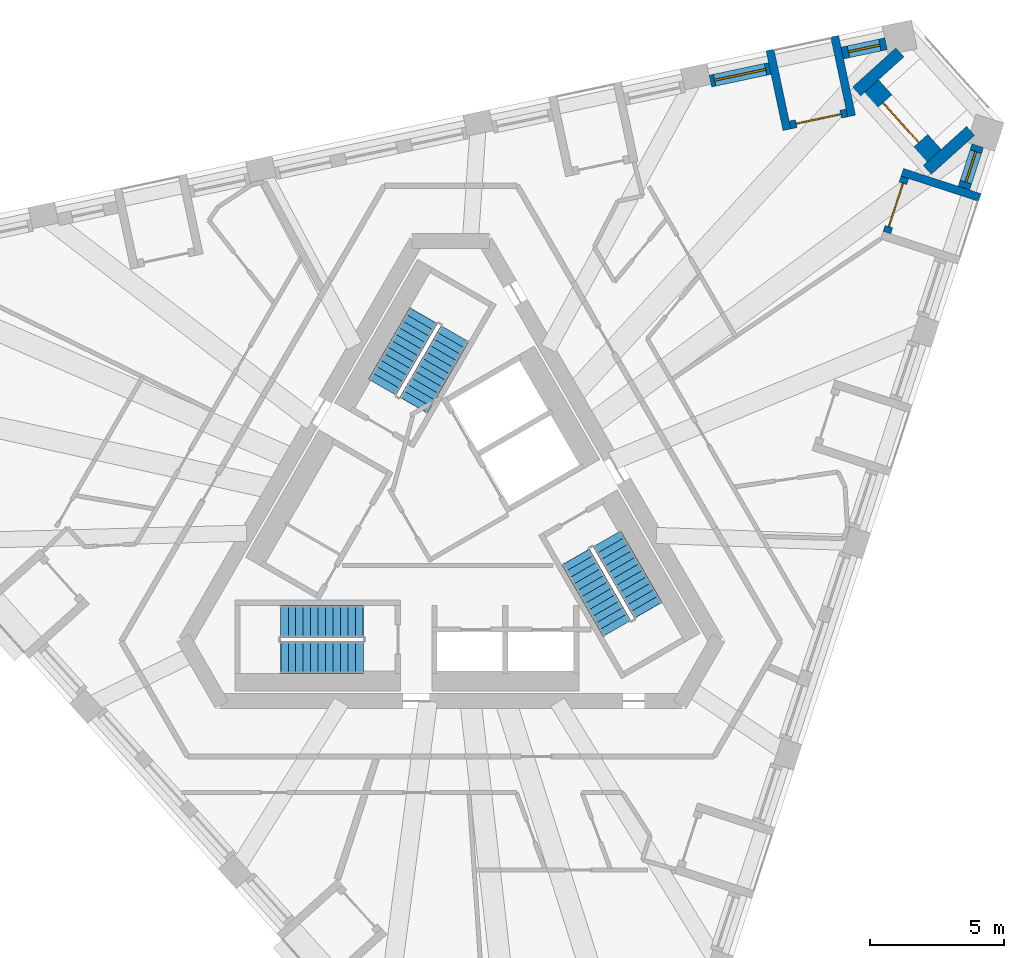
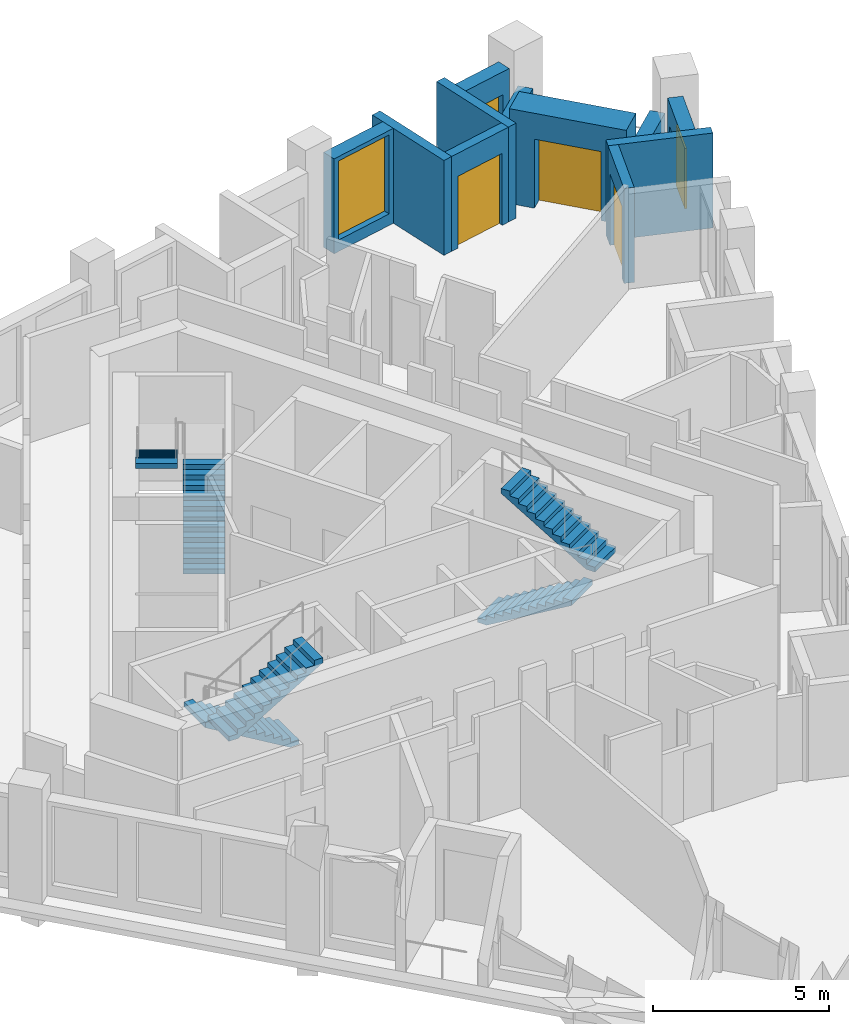
# One storey, part 8 of 12: 11 walls, 6 stair flights, 3 doors, 3 windows, 6 openings, 3 elements without a shape of their own.
"""IFC4 building model written with IfcOpenShell, lengths in metres."""

from ifc_helpers import new_model, si_unit, direction, frame, frame_2d, origin, place, context, subcontext, project, spatial, polyline, rectangle, outline, extrude, material, layer, layer_set, type_object, element, fill, aggregate, save


model = new_model("IFC4")

# Units and contexts
model_context = context("Model", 3, precision=1e-05, world=origin(), true_north=direction((0.0, 1.0)))
body_context = subcontext(model_context, "Body", "Model", "MODEL_VIEW")
ifc_project = project(units=[si_unit("LENGTHUNIT", "METRE"), si_unit("AREAUNIT", "SQUARE_METRE"), si_unit("VOLUMEUNIT", "CUBIC_METRE"), si_unit("PLANEANGLEUNIT", "RADIAN"), si_unit("MASSUNIT", "GRAM", prefix="KILO")], contexts=[model_context])

# Site, building, storey
site_placement = place(None, origin())
site = spatial("IfcSite", under=ifc_project, at=site_placement, CompositionType="ELEMENT")
building_placement = place(site_placement, origin())
building = spatial("IfcBuilding", under=site, at=building_placement, Name="Tramontana Tower", CompositionType="ELEMENT")
storey_placement = place(building_placement, frame((0.0, 0.0, 340.39990234375)))
storey = spatial("IfcBuildingStorey", under=building, at=storey_placement, Name="L78", CompositionType="ELEMENT", Elevation=340.39990234375)

# Wall, opening, window
ifc_material_1 = material(Name="Precast concrete 60 MPa", Category="concrete")
ifc_layer_1 = layer(ifc_material_1, 0.449951171875)
ifc_layer_set_1 = layer_set([ifc_layer_1], Name="Precast concrete 60 MPa, 450 mm")
wall_type_1 = type_object("IfcWallType", Name="EW1 Stone-faced precast wall 450", PredefinedType="SOLIDWALL", material=ifc_layer_set_1)
wall_1_placement = place(storey_placement, frame((19.1904296875, 12.705078125, 0.0), z_axis=(0.0, 0.0, 1.0), x_axis=(0.30898696848, 0.951066271776, 0.0)))
wall_1 = element("IfcWall", 1, at=wall_1_placement, inside=storey, type_object=wall_type_1, Name="External wall L78 face 1 bay 5", PredefinedType="SOLIDWALL", context=body_context, shape_type="SweptSolid", body=[
    extrude(rectangle(XDim=1.671142578125, YDim=0.449951171875, at=frame_2d((0.83544921875, 0.0))), origin(), (0.0, 0.0, 1.0), 3.300048828125),
])
opening_1_placement = place(wall_1_placement, frame((0.235595703125, 0.0, 0.39990234375)))
opening_1 = element("IfcOpeningElement", 2, at=opening_1_placement, cuts=wall_1, Name="Opening N3L", PredefinedType="OPENING", context=body_context, shape_type="SweptSolid", body=[
    extrude(rectangle(XDim=1.199951171875, YDim=2.10009765625, at=frame_2d((0.60009765625, 1.050048828125))), frame((0.0, 0.23486328125, 0.0), z_axis=(0.0, -1.0, 0.0), x_axis=(1.0, 0.0, 0.0)), (0.0, 0.0, 1.0), 0.469970703125),
])
ifc_material_2 = material(Name="Aluminum frame, double glazing unit", Category="aluminium")
window_type_1 = type_object("IfcWindowType", Name="N3L Window 1.2 x 2.1", PartitioningType="SINGLE_PANEL", PredefinedType="WINDOW", material=ifc_material_2)
window_1_placement = place(opening_1_placement, origin())
window_1 = element("IfcWindow", 3, at=window_1_placement, inside=storey, type_object=window_type_1, Name="Window N3L L78 face 1 module 15", OverallHeight=2.10009765625, OverallWidth=1.199951171875, PartitioningType="SINGLE_PANEL", PredefinedType="WINDOW", context=body_context, shape_type="SweptSolid", body=[
    extrude(rectangle(XDim=1.199951171875, YDim=2.10009765625, at=frame_2d((0.60009765625, 1.050048828125))), frame((0.0, 0.030029296875, 0.0), z_axis=(0.0, -1.0, 0.0), x_axis=(1.0, 0.0, 0.0)), (0.0, 0.0, 1.0), 0.06005859375),
])
fill(opening_1, window_1)

wall_2_placement = place(storey_placement, frame((16.276123046875, 18.104736328125, 0.0), z_axis=(0.0, 0.0, 1.0), x_axis=(-0.978126168783, -0.208012494676, 0.0)))
wall_2 = element("IfcWall", 4, at=wall_2_placement, inside=storey, type_object=wall_type_1, Name="External wall L78 face 2 bay 1", PredefinedType="SOLIDWALL", context=body_context, shape_type="SweptSolid", body=[
    extrude(rectangle(XDim=1.67138671875, YDim=0.449951171875, at=frame_2d((0.835693359375, 0.0))), origin(), (0.0, 0.0, 1.0), 3.300048828125),
])
opening_2_placement = place(wall_2_placement, frame((0.235595703125, 0.0, 0.39990234375)))
opening_2 = element("IfcOpeningElement", 5, at=opening_2_placement, cuts=wall_2, Name="Opening N3L", PredefinedType="OPENING", context=body_context, shape_type="SweptSolid", body=[
    extrude(rectangle(XDim=1.199951171875, YDim=2.10009765625, at=frame_2d((0.60009765625, 1.050048828125))), frame((0.0, 0.23486328125, 0.0), z_axis=(0.0, -1.0, 0.0), x_axis=(1.0, 0.0, 0.0)), (0.0, 0.0, 1.0), 0.469970703125),
])
window_2_placement = place(opening_2_placement, origin())
window_2 = element("IfcWindow", 6, at=window_2_placement, inside=storey, type_object=window_type_1, Name="Window N3L L78 face 2 module 1", OverallHeight=2.10009765625, OverallWidth=1.199951171875, PartitioningType="SINGLE_PANEL", PredefinedType="WINDOW", context=body_context, shape_type="SweptSolid", body=[
    extrude(rectangle(XDim=1.199951171875, YDim=2.10009765625, at=frame_2d((0.60009765625, 1.050048828125))), frame((0.0, 0.030029296875, 0.0), z_axis=(0.0, -1.0, 0.0), x_axis=(1.0, 0.0, 0.0)), (0.0, 0.0, 1.0), 0.06005859375),
])
fill(opening_2, window_2)

wall_3_placement = place(storey_placement, frame((11.9306640625, 17.180908203125, 0.0), z_axis=(0.0, 0.0, 1.0), x_axis=(-0.978153386925, -0.207884467067, 0.0)))
wall_3 = element("IfcWall", 7, at=wall_3_placement, inside=storey, type_object=wall_type_1, Name="External wall L78 face 2 bay 1", PredefinedType="SOLIDWALL", context=body_context, shape_type="SweptSolid", body=[
    extrude(rectangle(XDim=2.271240234375, YDim=0.449951171875, at=frame_2d((1.1357421875, 0.0))), origin(), (0.0, 0.0, 1.0), 3.300048828125),
])
opening_3_placement = place(wall_3_placement, frame((0.16064453125, 0.0, 0.39990234375)))
opening_3 = element("IfcOpeningElement", 8, at=opening_3_placement, cuts=wall_3, Name="Opening M3", PredefinedType="OPENING", context=body_context, shape_type="SweptSolid", body=[
    extrude(rectangle(XDim=1.949951171875, YDim=2.75, at=frame_2d((0.97509765625, 1.375))), frame((0.0, 0.23486328125, 0.0), z_axis=(0.0, -1.0, 0.0), x_axis=(1.0, 0.0, 0.0)), (0.0, 0.0, 1.0), 0.469970703125),
])
ifc_material_3 = material(Name="Aluminum frame, double glazing unit", Category="aluminium")
window_type_2 = type_object("IfcWindowType", Name="M3 Window 1.95 x 2.75", PartitioningType="SINGLE_PANEL", PredefinedType="WINDOW", material=ifc_material_3)
window_3_placement = place(opening_3_placement, origin())
window_3 = element("IfcWindow", 9, at=window_3_placement, inside=storey, type_object=window_type_2, Name="Window M3 L78 face 2 module 3", OverallHeight=2.75, OverallWidth=1.949951171875, PartitioningType="SINGLE_PANEL", PredefinedType="WINDOW", context=body_context, shape_type="SweptSolid", body=[
    extrude(rectangle(XDim=1.949951171875, YDim=2.75, at=frame_2d((0.97509765625, 1.375))), frame((0.0, 0.030029296875, 0.0), z_axis=(0.0, -1.0, 0.0), x_axis=(1.0, 0.0, 0.0)), (0.0, 0.0, 1.0), 0.06005859375),
])
fill(opening_3, window_3)

# Walls
wall_4_placement = place(storey_placement, frame((16.795654296875, 17.780517578125, 0.0), z_axis=(0.0, 0.0, 1.0), x_axis=(-0.743165997662, -0.669107091518, 0.0)))
element("IfcWall", 10, at=wall_4_placement, inside=storey, type_object=wall_type_1, Name="Corner loggia side wall L78 K82l", PredefinedType="SOLIDWALL", context=body_context, shape_type="SweptSolid", body=[
    extrude(rectangle(XDim=2.178955078125, YDim=0.449951171875, at=frame_2d((1.08935546875, 0.0))), origin(), (0.0, 0.0, 1.0), 2.550048828125),
])
wall_5_placement = place(storey_placement, frame((19.438720703125, 14.84521484375, 0.0), z_axis=(0.0, 0.0, 1.0), x_axis=(-0.743110286166, -0.669168964159, 0.0)))
element("IfcWall", 11, at=wall_5_placement, inside=storey, type_object=wall_type_1, Name="Corner loggia side wall L78 K82r", PredefinedType="SOLIDWALL", context=body_context, shape_type="SweptSolid", body=[
    extrude(rectangle(XDim=2.17919921875, YDim=0.449951171875, at=frame_2d((1.089599609375, 0.0))), origin(), (0.0, 0.0, 1.0), 2.550048828125),
])

# Wall, opening, door
ifc_material_4 = material(Name="Precast concrete 60 MPa", Category="concrete")
ifc_layer_2 = layer(ifc_material_4, 0.89990234375)
ifc_layer_set_2 = layer_set([ifc_layer_2], Name="EW2 Stone-faced corner loggia wall 900")
wall_type_2 = type_object("IfcWallType", Name="EW2 Stone-faced corner loggia wall 900", PredefinedType="SOLIDWALL", material=ifc_layer_set_2)
wall_6_placement = place(storey_placement, frame((15.6611328125, 16.456298828125, 0.0), z_axis=(0.0, 0.0, 1.0), x_axis=(0.669134277936, -0.743141519559, 0.0)))
wall_6 = element("IfcWall", 12, at=wall_6_placement, inside=storey, type_object=wall_type_2, Name="Corner loggia wall L78 K82", PredefinedType="SOLIDWALL", context=body_context, shape_type="SweptSolid", body=[
    extrude(rectangle(XDim=3.5, YDim=0.89990234375, at=frame_2d((1.75, 0.0))), origin(), (0.0, 0.0, 1.0), 3.300048828125),
])
opening_4_placement = place(wall_6_placement, frame((0.75, 0.0, 0.0)))
opening_4 = element("IfcOpeningElement", 13, at=opening_4_placement, cuts=wall_6, Name="Opening BD-82C", PredefinedType="OPENING", context=body_context, shape_type="SweptSolid", body=[
    extrude(rectangle(XDim=2.0, YDim=2.39990234375, at=frame_2d((1.0, 1.199951171875))), frame((0.0, 0.4599609375, 0.0), z_axis=(0.0, -1.0, 0.0), x_axis=(1.0, 0.0, 0.0)), (0.0, 0.0, 1.0), 0.919921875),
])
ifc_material_5 = material(Name="Aluminum frame, double glazing unit", Category="aluminium")
door_type_1 = type_object("IfcDoorType", Name="BC1 Sliding door 2 x 2.4", OperationType="SLIDING_TO_LEFT", PredefinedType="DOOR", material=ifc_material_5)
door_1_placement = place(opening_4_placement, origin())
door_1 = element("IfcDoor", 14, at=door_1_placement, inside=storey, type_object=door_type_1, Name="Corner loggia door L78 K82", OperationType="SLIDING_TO_LEFT", OverallHeight=2.39990234375, OverallWidth=2.0, PredefinedType="DOOR", context=body_context, shape_type="SweptSolid", body=[
    extrude(rectangle(XDim=2.0, YDim=2.39990234375, at=frame_2d((1.0, 1.199951171875))), frame((0.0, 0.02490234375, 0.0), z_axis=(0.0, -1.0, 0.0), x_axis=(1.0, 0.0, 0.0)), (0.0, 0.0, 1.0), 0.050048828125),
])
fill(opening_4, door_1)

ifc_material_6 = material(Name="Precast concrete 60 MPa", Category="concrete")
ifc_layer_3 = layer(ifc_material_6, 0.300048828125)
ifc_layer_set_3 = layer_set([ifc_layer_3], Name="LW1 Stone-faced loggia wall 300")
wall_type_3 = type_object("IfcWallType", Name="LW1 Stone-faced loggia wall 300", PredefinedType="SOLIDWALL", material=ifc_layer_set_3)
wall_7_placement = place(storey_placement, frame((16.310546875, 11.042236328125, 0.0), z_axis=(0.0, 0.0, 1.0), x_axis=(0.308999623589, 0.95106216023, 0.0)))
wall_7 = element("IfcWall", 15, at=wall_7_placement, inside=storey, type_object=wall_type_3, Name="Loggia wall L78 G8S1.13", PredefinedType="SOLIDWALL", context=body_context, shape_type="SweptSolid", body=[
    extrude(rectangle(XDim=2.171142578125, YDim=0.300048828125, at=frame_2d((1.08544921875, 0.0))), origin(), (0.0, 0.0, 1.0), 3.300048828125),
])
opening_5_placement = place(wall_7_placement, frame((0.235595703125, 0.0, 0.0)))
opening_5 = element("IfcOpeningElement", 16, at=opening_5_placement, cuts=wall_7, Name="Opening BD-8S1-13", PredefinedType="OPENING", context=body_context, shape_type="SweptSolid", body=[
    extrude(rectangle(XDim=1.699951171875, YDim=2.5, at=frame_2d((0.85009765625, 1.25))), frame((0.0, 0.159912109375, 0.0), z_axis=(0.0, -1.0, 0.0), x_axis=(1.0, 0.0, 0.0)), (0.0, 0.0, 1.0), 0.320068359375),
])
ifc_material_7 = material(Name="Aluminum frame, double glazing unit", Category="aluminium")
door_type_2 = type_object("IfcDoorType", Name="BD3 Sliding door 1.7 x 2.5", OperationType="SLIDING_TO_LEFT", PredefinedType="DOOR", material=ifc_material_7)
door_2_placement = place(opening_5_placement, origin())
door_2 = element("IfcDoor", 17, at=door_2_placement, inside=storey, type_object=door_type_2, Name="Loggia door L78 G8S1.13", OperationType="SLIDING_TO_LEFT", OverallHeight=2.5, OverallWidth=1.699951171875, PredefinedType="DOOR", context=body_context, shape_type="SweptSolid", body=[
    extrude(rectangle(XDim=1.699951171875, YDim=2.5, at=frame_2d((0.85009765625, 1.25))), frame((0.0, 0.02490234375, 0.0), z_axis=(0.0, -1.0, 0.0), x_axis=(1.0, 0.0, 0.0)), (0.0, 0.0, 1.0), 0.050048828125),
])
fill(opening_5, door_2)

# Wall
wall_8_placement = place(storey_placement, frame((19.785888671875, 12.353759765625, 0.0), z_axis=(0.0, 0.0, 1.0), x_axis=(-0.951041715693, 0.309062542235, 0.0)))
element("IfcWall", 18, at=wall_8_placement, inside=storey, type_object=wall_type_3, Name="Loggia return L78 G8S1.13b", PredefinedType="SOLIDWALL", context=body_context, shape_type="SweptSolid", body=[
    extrude(rectangle(XDim=3.050048828125, YDim=0.300048828125, at=frame_2d((1.52490234375, 0.0))), origin(), (0.0, 0.0, 1.0), 3.300048828125),
])

# Wall, opening, door
wall_9_placement = place(storey_placement, frame((14.810546875, 15.518310546875, 0.0), z_axis=(0.0, 0.0, 1.0), x_axis=(-0.978148276005, -0.207908513891, 0.0)))
wall_9 = element("IfcWall", 19, at=wall_9_placement, inside=storey, type_object=wall_type_3, Name="Loggia wall L78 G8S2.1", PredefinedType="SOLIDWALL", context=body_context, shape_type="SweptSolid", body=[
    extrude(rectangle(XDim=2.171142578125, YDim=0.300048828125, at=frame_2d((1.08544921875, 0.0))), origin(), (0.0, 0.0, 1.0), 3.300048828125),
])
opening_6_placement = place(wall_9_placement, frame((0.235595703125, 0.0, 0.0)))
opening_6 = element("IfcOpeningElement", 20, at=opening_6_placement, cuts=wall_9, Name="Opening BD-8S2-01", PredefinedType="OPENING", context=body_context, shape_type="SweptSolid", body=[
    extrude(rectangle(XDim=1.699951171875, YDim=2.5, at=frame_2d((0.85009765625, 1.25))), frame((0.0, 0.159912109375, 0.0), z_axis=(0.0, -1.0, 0.0), x_axis=(1.0, 0.0, 0.0)), (0.0, 0.0, 1.0), 0.320068359375),
])
door_3_placement = place(opening_6_placement, origin())
door_3 = element("IfcDoor", 21, at=door_3_placement, inside=storey, type_object=door_type_2, Name="Loggia door L78 G8S2.1", OperationType="SLIDING_TO_LEFT", OverallHeight=2.5, OverallWidth=1.699951171875, PredefinedType="DOOR", context=body_context, shape_type="SweptSolid", body=[
    extrude(rectangle(XDim=1.699951171875, YDim=2.5, at=frame_2d((0.85009765625, 1.25))), frame((0.0, 0.02490234375, 0.0), z_axis=(0.0, -1.0, 0.0), x_axis=(1.0, 0.0, 0.0)), (0.0, 0.0, 1.0), 0.050048828125),
])
fill(opening_6, door_3)

# Walls
wall_10_placement = place(storey_placement, frame((14.354248046875, 18.38623046875, 0.0), z_axis=(0.0, 0.0, 1.0), x_axis=(0.207954487003, -0.978138503145, 0.0)))
element("IfcWall", 22, at=wall_10_placement, inside=storey, type_object=wall_type_3, Name="Loggia return L78 G8S2.1a", PredefinedType="SOLIDWALL", context=body_context, shape_type="SweptSolid", body=[
    extrude(rectangle(XDim=3.050048828125, YDim=0.300048828125, at=frame_2d((1.52490234375, 0.0))), origin(), (0.0, 0.0, 1.0), 3.300048828125),
])
wall_11_placement = place(storey_placement, frame((11.93701171875, 17.872314453125, 0.0), z_axis=(0.0, 0.0, 1.0), x_axis=(0.207894179953, -0.978151322619, 0.0)))
element("IfcWall", 23, at=wall_11_placement, inside=storey, type_object=wall_type_3, Name="Loggia return L78 G8S2.1b", PredefinedType="SOLIDWALL", context=body_context, shape_type="SweptSolid", body=[
    extrude(rectangle(XDim=3.0498046875, YDim=0.300048828125, at=frame_2d((1.52490234375, 0.0))), origin(), (0.0, 0.0, 1.0), 3.300048828125),
])

# Stair, stair flights
ifc_material_8 = material(Name="Concrete 40 MPa", Category="concrete")
stair_type = type_object("IfcStairType", Name="EXIT STAIR 24 RISERS", PredefinedType="HALF_TURN_STAIR", material=ifc_material_8)
stair_1_placement = place(storey_placement, origin())
stair_1 = element("IfcStair", 24, at=stair_1_placement, inside=storey, type_object=stair_type, Name="L78 Exit stair ST1", PredefinedType="HALF_TURN_STAIR")
ifc_material_9 = material(Name="Concrete 40 MPa", Category="concrete")
ifc_layer_4 = layer(ifc_material_9, 0.14990234375)
ifc_layer_set_4 = layer_set([ifc_layer_4], Name="EXIT STAIR FLIGHT")
stair_flight_type = type_object("IfcStairFlightType", Name="EXIT STAIR FLIGHT", PredefinedType="STRAIGHT", material=ifc_layer_set_4)
stair_flight_1_placement = place(storey_placement, frame((-1.39111328125, 4.590576171875, 0.0), z_axis=(0.0, 0.0, 1.0), x_axis=(0.5, 0.866025403784, 0.0)))
stair_flight_1 = element("IfcStairFlight", 25, at=stair_flight_1_placement, type_object=stair_flight_type, Name="ST1 flight 1", NumberOfRisers=12, NumberOfTreads=11, PredefinedType="STRAIGHT", RiserHeight=0.166666667, TreadLength=0.28, context=body_context, shape_type="SweptSolid", body=[
    extrude(outline(polyline([(-0.006103515625, 0.0), (-0.006103515625, 0.0400390625), (0.0, 0.0400390625), (0.0, 0.166748046875), (0.280029296875, 0.166748046875), (0.280029296875, 0.333251953125), (0.56005859375, 0.333251953125), (0.56005859375, 0.5), (0.840087890625, 0.5), (0.840087890625, 0.666748046875), (1.1201171875, 0.666748046875), (1.1201171875, 0.833251953125), (1.39990234375, 0.833251953125), (1.39990234375, 1.0), (1.679931640625, 1.0), (1.679931640625, 1.166748046875), (1.9599609375, 1.166748046875), (1.9599609375, 1.333251953125), (2.239990234375, 1.333251953125), (2.239990234375, 1.5), (2.52001953125, 1.5), (2.52001953125, 1.666748046875), (2.800048828125, 1.666748046875), (2.800048828125, 1.833251953125), (3.080078125, 1.833251953125), (3.0859375, 1.833251953125), (3.0859375, 1.658935546875), (0.299072265625, 0.0), (-0.006103515625, 0.0)])), frame((0.0, 0.60009765625, 0.0), z_axis=(0.0, -1.0, 0.0), x_axis=(1.0, 0.0, 0.0)), (0.0, 0.0, 1.0), 1.199951171875),
])
stair_flight_2_placement = place(storey_placement, frame((-1.020263671875, 7.932861328125, 2.0), z_axis=(0.0, 0.0, 1.0), x_axis=(-0.5, -0.866025403784, 0.0)))
stair_flight_2 = element("IfcStairFlight", 26, at=stair_flight_2_placement, type_object=stair_flight_type, Name="ST1 flight 2", NumberOfRisers=12, NumberOfTreads=11, PredefinedType="STRAIGHT", RiserHeight=0.166666667, TreadLength=0.28, context=body_context, shape_type="SweptSolid", body=[
    extrude(outline(polyline([(-0.006103515625, 0.0), (-0.006103515625, 0.0400390625), (0.0, 0.0400390625), (0.0, 0.166748046875), (0.280029296875, 0.166748046875), (0.280029296875, 0.333251953125), (0.56005859375, 0.333251953125), (0.56005859375, 0.5), (0.840087890625, 0.5), (0.840087890625, 0.666748046875), (1.1201171875, 0.666748046875), (1.1201171875, 0.833251953125), (1.39990234375, 0.833251953125), (1.39990234375, 1.0), (1.679931640625, 1.0), (1.679931640625, 1.166748046875), (1.9599609375, 1.166748046875), (1.9599609375, 1.333251953125), (2.239990234375, 1.333251953125), (2.239990234375, 1.5), (2.52001953125, 1.5), (2.52001953125, 1.666748046875), (2.800048828125, 1.666748046875), (2.800048828125, 1.833251953125), (3.080078125, 1.833251953125), (3.0859375, 1.833251953125), (3.0859375, 1.658935546875), (0.299072265625, 0.0), (-0.006103515625, 0.0)])), frame((0.0, 0.60009765625, 0.0), z_axis=(0.0, -1.0, 0.0), x_axis=(1.0, 0.0, 0.0)), (0.0, 0.0, 1.0), 1.199951171875),
])
aggregate(stair_1, [stair_flight_1, stair_flight_2])

stair_2_placement = place(storey_placement, origin())
stair_2 = element("IfcStair", 27, at=stair_2_placement, inside=storey, type_object=stair_type, Name="L78 Exit stair ST2", PredefinedType="HALF_TURN_STAIR")
stair_flight_3_placement = place(storey_placement, frame((-3.280029296875, -3.5, 0.0), z_axis=(0.0, 0.0, 1.0), x_axis=(-1.0, 0.0, 0.0)))
stair_flight_3 = element("IfcStairFlight", 28, at=stair_flight_3_placement, type_object=stair_flight_type, Name="ST2 flight 1", NumberOfRisers=12, NumberOfTreads=11, PredefinedType="STRAIGHT", RiserHeight=0.166666667, TreadLength=0.28, context=body_context, shape_type="SweptSolid", body=[
    extrude(outline(polyline([(-0.006103515625, 0.0), (-0.006103515625, 0.0400390625), (0.0, 0.0400390625), (0.0, 0.166748046875), (0.280029296875, 0.166748046875), (0.280029296875, 0.333251953125), (0.56005859375, 0.333251953125), (0.56005859375, 0.5), (0.840087890625, 0.5), (0.840087890625, 0.666748046875), (1.1201171875, 0.666748046875), (1.1201171875, 0.833251953125), (1.39990234375, 0.833251953125), (1.39990234375, 1.0), (1.679931640625, 1.0), (1.679931640625, 1.166748046875), (1.9599609375, 1.166748046875), (1.9599609375, 1.333251953125), (2.239990234375, 1.333251953125), (2.239990234375, 1.5), (2.52001953125, 1.5), (2.52001953125, 1.666748046875), (2.800048828125, 1.666748046875), (2.800048828125, 1.833251953125), (3.080078125, 1.833251953125), (3.0859375, 1.833251953125), (3.0859375, 1.658935546875), (0.299072265625, 0.0), (-0.006103515625, 0.0)])), frame((0.0, 0.60009765625, 0.0), z_axis=(0.0, -1.0, 0.0), x_axis=(1.0, 0.0, 0.0)), (0.0, 0.0, 1.0), 1.199951171875),
])
stair_flight_4_placement = place(storey_placement, frame((-6.360107421875, -4.85009765625, 2.0), z_axis=(0.0, 0.0, 1.0), x_axis=(1.0, 0.0, 0.0)))
stair_flight_4 = element("IfcStairFlight", 29, at=stair_flight_4_placement, type_object=stair_flight_type, Name="ST2 flight 2", NumberOfRisers=12, NumberOfTreads=11, PredefinedType="STRAIGHT", RiserHeight=0.166666667, TreadLength=0.28, context=body_context, shape_type="SweptSolid", body=[
    extrude(outline(polyline([(-0.006103515625, 0.0), (-0.006103515625, 0.0400390625), (0.0, 0.0400390625), (0.0, 0.166748046875), (0.280029296875, 0.166748046875), (0.280029296875, 0.333251953125), (0.56005859375, 0.333251953125), (0.56005859375, 0.5), (0.840087890625, 0.5), (0.840087890625, 0.666748046875), (1.1201171875, 0.666748046875), (1.1201171875, 0.833251953125), (1.39990234375, 0.833251953125), (1.39990234375, 1.0), (1.679931640625, 1.0), (1.679931640625, 1.166748046875), (1.9599609375, 1.166748046875), (1.9599609375, 1.333251953125), (2.239990234375, 1.333251953125), (2.239990234375, 1.5), (2.52001953125, 1.5), (2.52001953125, 1.666748046875), (2.800048828125, 1.666748046875), (2.800048828125, 1.833251953125), (3.080078125, 1.833251953125), (3.0859375, 1.833251953125), (3.0859375, 1.658935546875), (0.299072265625, 0.0), (-0.006103515625, 0.0)])), frame((0.0, 0.60009765625, 0.0), z_axis=(0.0, -1.0, 0.0), x_axis=(1.0, 0.0, 0.0)), (0.0, 0.0, 1.0), 1.199951171875),
])
aggregate(stair_2, [stair_flight_3, stair_flight_4])

stair_3_placement = place(storey_placement, origin())
stair_3 = element("IfcStair", 30, at=stair_3_placement, inside=storey, type_object=stair_type, Name="L78 Exit stair ST3", PredefinedType="HALF_TURN_STAIR")
stair_flight_5_placement = place(storey_placement, frame((4.671142578125, -1.090576171875, 0.0), z_axis=(0.0, 0.0, 1.0), x_axis=(0.5, -0.866025403784, 0.0)))
stair_flight_5 = element("IfcStairFlight", 31, at=stair_flight_5_placement, type_object=stair_flight_type, Name="ST3 flight 1", NumberOfRisers=12, NumberOfTreads=11, PredefinedType="STRAIGHT", RiserHeight=0.166666667, TreadLength=0.28, context=body_context, shape_type="SweptSolid", body=[
    extrude(outline(polyline([(-0.006103515625, 0.0), (-0.006103515625, 0.0400390625), (0.0, 0.0400390625), (0.0, 0.166748046875), (0.280029296875, 0.166748046875), (0.280029296875, 0.333251953125), (0.56005859375, 0.333251953125), (0.56005859375, 0.5), (0.840087890625, 0.5), (0.840087890625, 0.666748046875), (1.1201171875, 0.666748046875), (1.1201171875, 0.833251953125), (1.39990234375, 0.833251953125), (1.39990234375, 1.0), (1.679931640625, 1.0), (1.679931640625, 1.166748046875), (1.9599609375, 1.166748046875), (1.9599609375, 1.333251953125), (2.239990234375, 1.333251953125), (2.239990234375, 1.5), (2.52001953125, 1.5), (2.52001953125, 1.666748046875), (2.800048828125, 1.666748046875), (2.800048828125, 1.833251953125), (3.080078125, 1.833251953125), (3.0859375, 1.833251953125), (3.0859375, 1.658935546875), (0.299072265625, 0.0), (-0.006103515625, 0.0)])), frame((0.0, 0.60009765625, 0.0), z_axis=(0.0, -1.0, 0.0), x_axis=(1.0, 0.0, 0.0)), (0.0, 0.0, 1.0), 1.199951171875),
])
stair_flight_6_placement = place(storey_placement, frame((7.380126953125, -3.0830078125, 2.0), z_axis=(0.0, 0.0, 1.0), x_axis=(-0.5, 0.866025403784, 0.0)))
stair_flight_6 = element("IfcStairFlight", 32, at=stair_flight_6_placement, type_object=stair_flight_type, Name="ST3 flight 2", NumberOfRisers=12, NumberOfTreads=11, PredefinedType="STRAIGHT", RiserHeight=0.166666667, TreadLength=0.28, context=body_context, shape_type="SweptSolid", body=[
    extrude(outline(polyline([(-0.006103515625, 0.0), (-0.006103515625, 0.0400390625), (0.0, 0.0400390625), (0.0, 0.166748046875), (0.280029296875, 0.166748046875), (0.280029296875, 0.333251953125), (0.56005859375, 0.333251953125), (0.56005859375, 0.5), (0.840087890625, 0.5), (0.840087890625, 0.666748046875), (1.1201171875, 0.666748046875), (1.1201171875, 0.833251953125), (1.39990234375, 0.833251953125), (1.39990234375, 1.0), (1.679931640625, 1.0), (1.679931640625, 1.166748046875), (1.9599609375, 1.166748046875), (1.9599609375, 1.333251953125), (2.239990234375, 1.333251953125), (2.239990234375, 1.5), (2.52001953125, 1.5), (2.52001953125, 1.666748046875), (2.800048828125, 1.666748046875), (2.800048828125, 1.833251953125), (3.080078125, 1.833251953125), (3.0859375, 1.833251953125), (3.0859375, 1.658935546875), (0.299072265625, 0.0), (-0.006103515625, 0.0)])), frame((0.0, 0.60009765625, 0.0), z_axis=(0.0, -1.0, 0.0), x_axis=(1.0, 0.0, 0.0)), (0.0, 0.0, 1.0), 1.199951171875),
])
aggregate(stair_3, [stair_flight_5, stair_flight_6])

save(model, "model.ifc")
